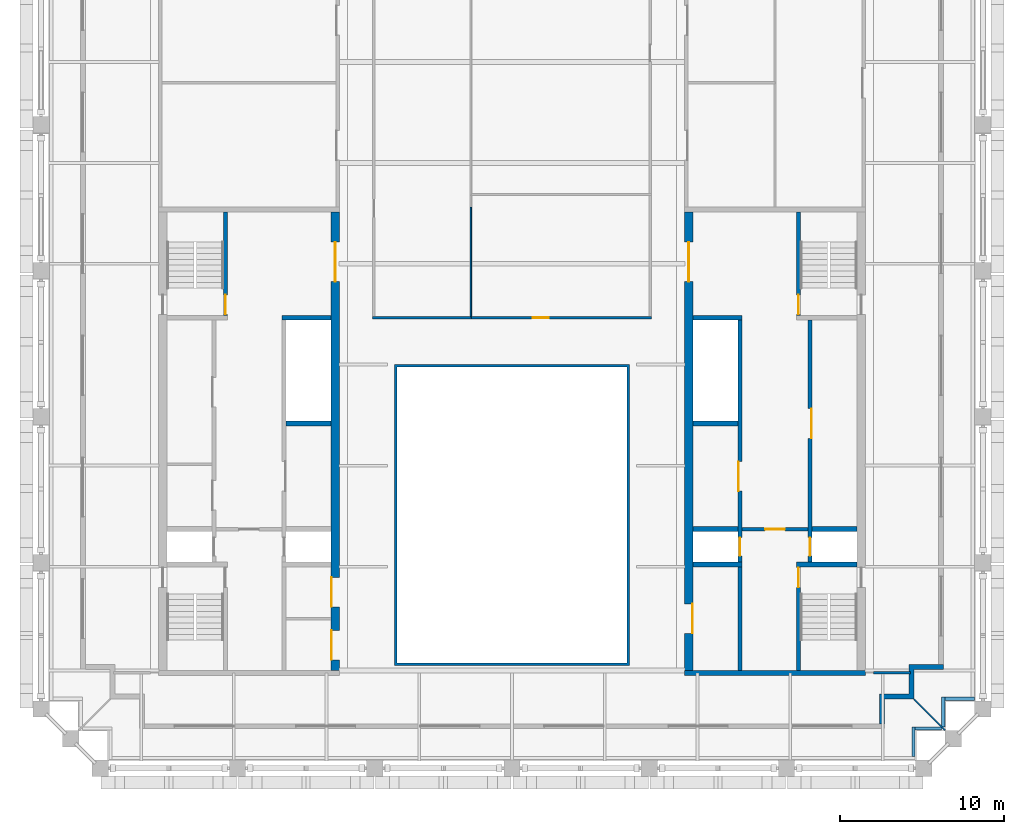
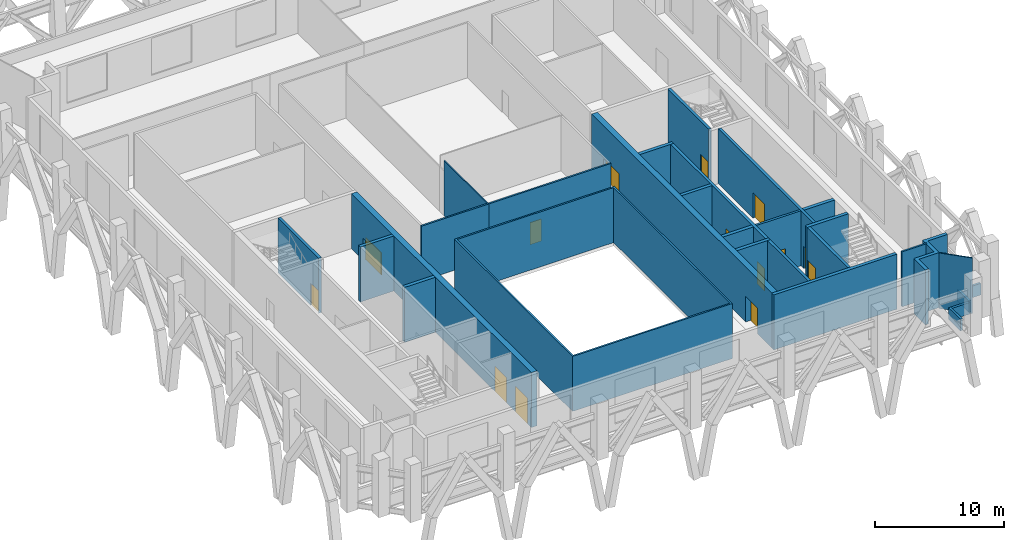
# One storey, part 5 of 13: 28 walls, 14 doors, 14 openings.
"""IFC4 building model written with IfcOpenShell, lengths in metres."""

import ifcopenshell
import ifcopenshell.guid

model = None  # the IFC model being written
_history = None  # IfcOwnerHistory: only IFC2X3 demands one
_inside = {}  # id of a spatial element -> (the spatial element, [elements in it])
_under = {}  # id of a project, library or spatial element -> (it, [spatial elements below it])
_declared = {}  # id of a project -> (the project, [libraries it declares])
_typed = {}  # id of a type object -> (the type object, [elements of that type])
_made_of = {}  # id of a material, layer set ... -> (it, [elements and type objects made of it])


def new_model(schema):
    """Start an empty IFC model of exactly this schema.

    Asked for "IFC4X3", IfcOpenShell would pick the latest addendum, in which some entities
    have other attributes; the version numbers below select the first issue.
    IFC2X3 requires an IfcOwnerHistory on every rooted entity: one is made here for all.
    """
    global model, _history
    if schema == "IFC4X3":
        model = ifcopenshell.file(schema_version=(4, 3, 0, 0))
    else:
        model = ifcopenshell.file(schema=schema)
    _inside.clear()
    _under.clear()
    _declared.clear()
    _typed.clear()
    _made_of.clear()
    _history = None
    if model.schema == "IFC2X3":
        org = make("IfcOrganization", Name="unknown")
        user = make(
            "IfcPersonAndOrganization",
            ThePerson=make("IfcPerson", FamilyName="unknown"),
            TheOrganization=org,
        )
        app = make(
            "IfcApplication",
            ApplicationDeveloper=org,
            Version="unknown",
            ApplicationFullName="unknown",
            ApplicationIdentifier="unknown",
        )
        _history = make(
            "IfcOwnerHistory",
            OwningUser=user,
            OwningApplication=app,
            ChangeAction="ADDED",
            CreationDate=0,
        )
    return model


def make(cls, **values):
    """One entity of the class cls with the attributes given. An attribute that is None is left unset."""
    return model.create_entity(
        cls, **{name: value for name, value in values.items() if value is not None}
    )


def rooted(cls, **values):
    """An entity with a GlobalId (a new one), such as an element, a storey or a relation."""
    return make(cls, GlobalId=ifcopenshell.guid.new(), OwnerHistory=_history, **values)


def si_unit(unit_type, name, prefix=None):
    """IfcSIUnit, for example si_unit("LENGTHUNIT", "METRE", prefix="MILLI")."""
    return make("IfcSIUnit", UnitType=unit_type, Prefix=prefix, Name=name)


def assignment(units):
    """IfcUnitAssignment: the units of a project."""
    return None if units is None else make("IfcUnitAssignment", Units=units)


def point(xyz):
    """IfcCartesianPoint."""
    return None if xyz is None else make("IfcCartesianPoint", Coordinates=xyz)


def direction(xyz):
    """IfcDirection."""
    return None if xyz is None else make("IfcDirection", DirectionRatios=xyz)


def frame(location, z_axis=None, x_axis=None):
    """IfcAxis2Placement3D, a coordinate frame: its origin and axes. An axis left out is left unset."""
    return make(
        "IfcAxis2Placement3D",
        Location=point(location),
        Axis=direction(z_axis),
        RefDirection=direction(x_axis),
    )


def frame_2d(location, x_axis=None):
    """IfcAxis2Placement2D, a coordinate frame in the plane: its origin and x axis."""
    return make(
        "IfcAxis2Placement2D", Location=point(location), RefDirection=direction(x_axis)
    )


def origin():
    """The frame at (0, 0, 0) with its axes left unset."""
    return frame((0.0, 0.0, 0.0))


def place(relative_to, where):
    """IfcLocalPlacement: puts the frame where relative to a parent placement (None: the world)."""
    return make(
        "IfcLocalPlacement", PlacementRelTo=relative_to, RelativePlacement=where
    )


def context(
    kind, dimensions, precision=None, world=None, true_north=None, identifier=None
):
    """IfcGeometricRepresentationContext, for example the 3D "Model" context."""
    return make(
        "IfcGeometricRepresentationContext",
        ContextIdentifier=identifier,
        ContextType=kind,
        CoordinateSpaceDimension=dimensions,
        Precision=precision,
        WorldCoordinateSystem=world,
        TrueNorth=true_north,
    )


def subcontext(parent, identifier, kind, view, scale=None):
    """IfcGeometricRepresentationSubContext, for example "Body" below "Model"."""
    return make(
        "IfcGeometricRepresentationSubContext",
        ContextIdentifier=identifier,
        ContextType=kind,
        ParentContext=parent,
        TargetScale=scale,
        TargetView=view,
    )


def project(units=None, contexts=None):
    """IfcProject with its units and contexts."""
    return rooted(
        "IfcProject",
        Name="project",
        RepresentationContexts=contexts,
        UnitsInContext=assignment(units),
    )


def spatial(cls, under=None, at=None, **own):
    """A site, building, storey or space (cls), placed at a placement, below another one or the project."""
    s = rooted(cls, ObjectPlacement=at, **own)
    if under is not None:
        _under.setdefault(under.id(), (under, []))[1].append(s)
    return s


def polyline(points):
    """IfcPolyline through the points."""
    return make("IfcPolyline", Points=[point(p) for p in points])


def profile(cls, at=None, kind="AREA", **sizes):
    """A parametric profile (cls). Its sizes go by their IFC names, for example OverallWidth=200.0."""
    return make(cls, ProfileType=kind, Position=at, **sizes)


def rectangle(**sizes):
    """IfcRectangleProfileDef."""
    return profile("IfcRectangleProfileDef", **sizes)


def outline(outer, holes=None, kind="AREA"):
    """IfcArbitraryClosedProfileDef: a profile drawn as a closed curve; with holes, ...WithVoids."""
    if holes is None:
        return make("IfcArbitraryClosedProfileDef", ProfileType=kind, OuterCurve=outer)
    return make(
        "IfcArbitraryProfileDefWithVoids",
        ProfileType=kind,
        OuterCurve=outer,
        InnerCurves=holes,
    )


def extrude(swept, where, along, depth):
    """IfcExtrudedAreaSolid: the profile swept, set in the frame where, extruded along a direction by depth."""
    return make(
        "IfcExtrudedAreaSolid",
        SweptArea=swept,
        Position=where,
        ExtrudedDirection=direction(along),
        Depth=depth,
    )


def shape(context_of_items, identifier, shape_type, items):
    """IfcShapeRepresentation: the items that make up one representation, for example the "Body"."""
    return make(
        "IfcShapeRepresentation",
        ContextOfItems=context_of_items,
        RepresentationIdentifier=identifier,
        RepresentationType=shape_type,
        Items=items,
    )


def material(Name=None, Category=None):
    """IfcMaterial."""
    return make("IfcMaterial", Name=Name, Category=Category)


def layer(
    of_material, thickness, ventilated=None, Name=None, Category=None, Priority=None
):
    """IfcMaterialLayer: one layer of a wall or slab, of a material (None: an air gap)."""
    return make(
        "IfcMaterialLayer",
        Material=of_material,
        LayerThickness=thickness,
        IsVentilated=ventilated,
        Name=Name,
        Category=Category,
        Priority=Priority,
    )


def layer_set(layers, Name=None):
    """IfcMaterialLayerSet."""
    return make("IfcMaterialLayerSet", MaterialLayers=layers, LayerSetName=Name)


def made_of(thing, what):
    """Note that an element or type object is made of a material, layer set ...; save() writes the relation."""
    if what is not None:
        _made_of.setdefault(what.id(), (what, []))[1].append(thing)
    return thing


def type_object(cls, material=None, **own):
    """A type object (cls), such as IfcWallType, which elements share."""
    return made_of(rooted(cls, **own), material)


def element(
    cls,
    number,
    at=None,
    inside=None,
    cuts=None,
    type_object=None,
    material=None,
    context=None,
    identifier="Body",
    shape_type=None,
    held_by="IfcProductDefinitionShape",
    body=None,
    shapes=None,
    **own,
):
    """One element of the class cls, such as IfcWall. Its Tag is "e" and its number.

    at: its placement. inside: the storey or other place that contains it. cuts: it is an
    opening in that element (IfcRelVoidsElement). A single representation is given by context,
    identifier, shape_type and body (its items); several are given by shapes. held_by: the class
    of the entity that holds the representations. save() writes the other relations.
    """
    e = rooted(cls, Tag="e%d" % number, ObjectPlacement=at, **own)
    if body is not None:
        shapes = [shape(context, identifier, shape_type, body)]
    if shapes is not None:
        e.Representation = make(held_by, Representations=shapes)
    if inside is not None:
        _inside.setdefault(inside.id(), (inside, []))[1].append(e)
    if cuts is not None:
        rooted(
            "IfcRelVoidsElement", RelatingBuildingElement=cuts, RelatedOpeningElement=e
        )
    if type_object is not None:
        _typed.setdefault(type_object.id(), (type_object, []))[1].append(e)
    return made_of(e, material)


def fill(opening, filler):
    """IfcRelFillsElement: the door or window that sits in an opening."""
    return rooted(
        "IfcRelFillsElement",
        RelatingOpeningElement=opening,
        RelatedBuildingElement=filler,
    )


def aggregate(whole, parts):
    """IfcRelAggregates: a whole, such as a stair, and the parts it consists of."""
    return rooted("IfcRelAggregates", RelatingObject=whole, RelatedObjects=parts)


def save(model, path):
    """Write the relations noted so far, then the file.

    IfcRelAggregates (storeys below a building ...), IfcRelContainedInSpatialStructure (elements
    in a storey), IfcRelDefinesByType, IfcRelAssociatesMaterial and IfcRelDeclares: one each for
    every whole, place, type object, material and project.
    """
    for whole, parts in _under.values():
        aggregate(whole, parts)
    for where, things in _inside.values():
        rooted(
            "IfcRelContainedInSpatialStructure",
            RelatedElements=things,
            RelatingStructure=where,
        )
    for kind, things in _typed.values():
        rooted("IfcRelDefinesByType", RelatedObjects=things, RelatingType=kind)
    for what, things in _made_of.values():
        rooted("IfcRelAssociatesMaterial", RelatedObjects=things, RelatingMaterial=what)
    for by, libraries in _declared.values():
        rooted("IfcRelDeclares", RelatingContext=by, RelatedDefinitions=libraries)
    model.write(path)


model = new_model("IFC4")

# Units and contexts
model_context = context("Model", 3, precision=1e-05, world=origin(), true_north=direction((0.0, 1.0)))
body_context = subcontext(model_context, "Body", "Model", "MODEL_VIEW")
ifc_project = project(units=[si_unit("LENGTHUNIT", "METRE"), si_unit("AREAUNIT", "SQUARE_METRE"), si_unit("VOLUMEUNIT", "CUBIC_METRE"), si_unit("PLANEANGLEUNIT", "RADIAN"), si_unit("MASSUNIT", "GRAM", prefix="KILO")], contexts=[model_context])

# Site, building, storey
site_placement = place(None, origin())
site = spatial("IfcSite", under=ifc_project, at=site_placement, CompositionType="ELEMENT")
building_placement = place(site_placement, origin())
building = spatial("IfcBuilding", under=site, at=building_placement, Name="Ogive Exchange Tower", CompositionType="ELEMENT")
storey_placement = place(building_placement, frame((0.0, 0.0, 363.60009765625)))
storey = spatial("IfcBuildingStorey", under=building, at=storey_placement, Name="L80", CompositionType="ELEMENT", Elevation=363.60009765625)

# Wall
ifc_material_1 = material(Name="Fire partition EI 60 150")
ifc_layer_1 = layer(ifc_material_1, 0.14990234375)
ifc_layer_set_1 = layer_set([ifc_layer_1], Name="Fire partition EI 60 150")
wall_type_1 = type_object("IfcWallType", Name="Fire partition EI 60 150", PredefinedType="PARTITIONING", material=ifc_layer_set_1)
wall_1_placement = place(storey_placement, frame((-8.47509765625, 19.0, 0.0), z_axis=(0.0, 0.0, 1.0), x_axis=(1.0, 0.0, 0.0)))
element("IfcWall", 1, at=wall_1_placement, inside=storey, type_object=wall_type_1, Name="L80-PWL-005", PredefinedType="PARTITIONING", context=body_context, shape_type="SweptSolid", body=[
    extrude(rectangle(XDim=6.025146484375, YDim=0.14990234375, at=frame_2d((3.0126953125, 0.0))), origin(), (0.0, 0.0, 1.0), 5.199951171875),
])

# Wall, opening, door
wall_2_placement = place(storey_placement, frame((-2.5, 19.0, 0.0), z_axis=(0.0, 0.0, 1.0), x_axis=(1.0, 0.0, 0.0)))
wall_2 = element("IfcWall", 2, at=wall_2_placement, inside=storey, type_object=wall_type_1, Name="L80-PWL-009", PredefinedType="PARTITIONING", context=body_context, shape_type="SweptSolid", body=[
    extrude(rectangle(XDim=10.97509765625, YDim=0.14990234375, at=frame_2d((5.487548828125, 0.0))), origin(), (0.0, 0.0, 1.0), 5.199951171875),
])
opening_1_placement = place(wall_2_placement, frame((3.75, 0.0, 0.0)))
opening_1 = element("IfcOpeningElement", 3, at=opening_1_placement, cuts=wall_2, Name="Opening L80-I03", PredefinedType="OPENING", context=body_context, shape_type="SweptSolid", body=[
    extrude(rectangle(XDim=1.0, YDim=2.10009765625, at=frame_2d((0.5, 1.050048828125))), frame((0.0, 0.0849609375, 0.0), z_axis=(0.0, -1.0, 0.0), x_axis=(1.0, 0.0, 0.0)), (0.0, 0.0, 1.0), 0.169921875),
])
ifc_material_2 = material(Name="Fire door FD 30S 1000 x 2100")
door_type_1 = type_object("IfcDoorType", Name="Fire door FD 30S 1000 x 2100", OperationType="NOTDEFINED", PredefinedType="DOOR", material=ifc_material_2)
door_1_placement = place(opening_1_placement, origin())
door_1 = element("IfcDoor", 4, at=door_1_placement, inside=storey, type_object=door_type_1, Name="L80-IDR-003", ObjectType="DT3", OperationType="SINGLE_SWING_RIGHT", OverallHeight=2.10009765625, OverallWidth=1.0, PredefinedType="DOOR", context=body_context, shape_type="SweptSolid", body=[
    extrude(rectangle(XDim=1.0, YDim=2.10009765625, at=frame_2d((0.5, 1.050048828125))), frame((0.0, 0.02490234375, 0.0), z_axis=(0.0, -1.0, 0.0), x_axis=(1.0, 0.0, 0.0)), (0.0, 0.0, 1.0), 0.050048828125),
])
fill(opening_1, door_1)

# Walls
wall_3_placement = place(storey_placement, frame((22.0, -2.60009765625, 0.0), z_axis=(0.0, 0.0, 1.0), x_axis=(1.0, 0.0, 0.0)))
element("IfcWall", 5, at=wall_3_placement, inside=storey, type_object=wall_type_1, Name="L80-PWL-018", PredefinedType="PARTITIONING", context=body_context, shape_type="SweptSolid", body=[
    extrude(rectangle(XDim=2.25, YDim=0.14990234375, at=frame_2d((1.125, 0.0))), origin(), (0.0, 0.0, 1.0), 5.199951171875),
])
ifc_material_3 = material(Name="Fire-resisting glass in steel frame", Category="steel")
ifc_layer_2 = layer(ifc_material_3, 0.14990234375)
ifc_layer_set_2 = layer_set([ifc_layer_2], Name="Fire-rated glazed wall 150")
wall_type_2 = type_object("IfcWallType", Name="Fire-rated glazed wall 150", PredefinedType="STANDARD", material=ifc_layer_set_2)
wall_4_placement = place(storey_placement, origin())
element("IfcWall", 6, at=wall_4_placement, inside=storey, type_object=wall_type_2, Name="Nave enclosure wall", PredefinedType="STANDARD", context=body_context, shape_type="SweptSolid", body=[
    extrude(outline(polyline([(-7.14990234375, -2.14990234375), (7.14990234375, -2.14990234375), (7.14990234375, 16.14990234375), (-7.14990234375, 16.14990234375), (-7.14990234375, -2.14990234375)]), holes=[polyline([(-7.0, -2.0), (-7.0, 16.0), (7.0, 16.0), (7.0, -2.0), (-7.0, -2.0)])]), origin(), (0.0, 0.0, 1.0), 5.199951171875),
])
ifc_material_4 = material(Name="Precast concrete C40/50", Category="concrete")
ifc_layer_3 = layer(ifc_material_4, 0.300048828125)
ifc_layer_set_3 = layer_set([ifc_layer_3], Name="Limestone-faced wall 300")
wall_type_3 = type_object("IfcWallType", Name="Limestone-faced wall 300", PredefinedType="STANDARD", material=ifc_layer_set_3)
wall_5_placement = place(storey_placement, origin())
element("IfcWall", 7, at=wall_5_placement, inside=storey, type_object=wall_type_3, Name="External corner wall C1", PredefinedType="STANDARD", context=body_context, shape_type="SweptSolid", body=[
    extrude(outline(polyline([(24.14990234375, -3.89990234375), (24.14990234375, -2.10009765625), (26.25, -2.10009765625), (26.25, -2.39990234375), (24.449951171875, -2.39990234375), (24.449951171875, -4.199951171875), (22.64990234375, -4.199951171875), (22.64990234375, -5.699951171875), (22.35009765625, -5.699951171875), (22.35009765625, -3.89990234375), (24.14990234375, -3.89990234375)])), origin(), (0.0, 0.0, 1.0), 5.199951171875),
])
ifc_material_5 = material(Name="Laminated safety glass in steel frame", Category="steel")
ifc_layer_4 = layer(ifc_material_5, 0.10009765625)
ifc_layer_set_4 = layer_set([ifc_layer_4], Name="Loggia end screen 100")
wall_type_4 = type_object("IfcWallType", Name="Loggia end screen 100", PredefinedType="STANDARD", material=ifc_layer_set_4)
wall_6_placement = place(storey_placement, frame((24.449951171875, -4.199951171875, -0.050048828125), z_axis=(0.0, 0.0, 1.0), x_axis=(0.707106781187, -0.707106781187, 0.0)))
element("IfcWall", 8, at=wall_6_placement, inside=storey, type_object=wall_type_4, Name="Loggia end screen C1", PredefinedType="STANDARD", context=body_context, shape_type="SweptSolid", body=[
    extrude(rectangle(XDim=2.667236328125, YDim=0.10009765625, at=frame_2d((1.33349609375, 0.0))), origin(), (0.0, 0.0, 1.0), 5.25),
])
ifc_material_6 = material(Name="Partition 100 gypsum")
ifc_layer_5 = layer(ifc_material_6, 0.10009765625)
ifc_layer_set_5 = layer_set([ifc_layer_5], Name="Partition 100 gypsum")
wall_type_5 = type_object("IfcWallType", Name="Partition 100 gypsum", PredefinedType="PARTITIONING", material=ifc_layer_set_5)
wall_7_placement = place(storey_placement, frame((-2.5, 19.074951171875, 0.0), z_axis=(0.0, 0.0, 1.0), x_axis=(0.0, 1.0, 0.0)))
element("IfcWall", 9, at=wall_7_placement, inside=storey, type_object=wall_type_5, Name="L80-PWL-008", PredefinedType="PARTITIONING", context=body_context, shape_type="SweptSolid", body=[
    extrude(rectangle(XDim=6.670166015625, YDim=0.10009765625, at=frame_2d((3.3349609375, 0.0))), origin(), (0.0, 0.0, 1.0), 5.199951171875),
])
ifc_layer_6 = layer(ifc_material_4, 0.199951171875)
ifc_layer_set_6 = layer_set([ifc_layer_6], Name="Plant deck parapet 200")
wall_type_6 = type_object("IfcWallType", Name="Plant deck parapet 200", PredefinedType="STANDARD", material=ifc_layer_set_6)
wall_8_placement = place(storey_placement, frame((24.429931640625, -7.679931640625, -0.050048828125), z_axis=(0.0, 0.0, 1.0), x_axis=(0.0, 1.0, 0.0)))
element("IfcWall", 10, at=wall_8_placement, inside=storey, type_object=wall_type_6, Name="Plant deck parapet 2", PredefinedType="STANDARD", context=body_context, shape_type="SweptSolid", body=[
    extrude(rectangle(XDim=1.800048828125, YDim=0.199951171875, at=frame_2d((0.89990234375, 0.0))), origin(), (0.0, 0.0, 1.0), 1.099853515625),
])
wall_9_placement = place(storey_placement, frame((24.530029296875, -5.97998046875, -0.050048828125), z_axis=(0.0, 0.0, 1.0), x_axis=(1.0, 0.0, 0.0)))
element("IfcWall", 11, at=wall_9_placement, inside=storey, type_object=wall_type_6, Name="Plant deck parapet 3", PredefinedType="STANDARD", context=body_context, shape_type="SweptSolid", body=[
    extrude(rectangle(XDim=1.608154296875, YDim=0.199951171875, at=frame_2d((0.80419921875, 0.0))), origin(), (0.0, 0.0, 1.0), 1.099853515625),
])
for number, where, z_axis, x_axis, name in (
    (12, (26.22998046875, -5.8798828125, -0.050048828125), (0.0, 0.0, 1.0), (0.0, 1.0, 0.0), "Plant deck parapet 4"),
    (13, (26.330078125, -4.179931640625, -0.050048828125), (0.0, 0.0, 1.0), (1.0, 0.0, 0.0), "Plant deck parapet 5"),
):
    element("IfcWall", number, at=place(storey_placement, frame(where, z_axis=z_axis, x_axis=x_axis)), inside=storey, type_object=wall_type_6, Name=name, PredefinedType="STANDARD", context=body_context, shape_type="SweptSolid", body=[
        extrude(rectangle(XDim=1.7998046875, YDim=0.199951171875, at=frame_2d((0.89990234375, 0.0))), origin(), (0.0, 0.0, 1.0), 1.099853515625),
    ])

# Wall, opening, door
ifc_material_7 = material(Name="Concrete C70/85", Category="concrete")
ifc_layer_7 = layer(ifc_material_7, 0.199951171875)
ifc_layer_set_7 = layer_set([ifc_layer_7], Name="RC core wall 200 C70/85")
wall_type_7 = type_object("IfcWallType", Name="RC core wall 200 C70/85", PredefinedType="SHEAR", material=ifc_layer_set_7)
wall_10_placement = place(storey_placement, frame((14.0, 6.142822265625, 0.0), z_axis=(0.0, 0.0, 1.0), x_axis=(1.0, 0.0, 0.0)))
wall_10 = element("IfcWall", 14, at=wall_10_placement, inside=storey, type_object=wall_type_7, Name="E firefighting lobby wall", PredefinedType="SHEAR", context=body_context, shape_type="SweptSolid", body=[
    extrude(rectangle(XDim=4.0, YDim=0.199951171875, at=frame_2d((2.0, 0.0))), origin(), (0.0, 0.0, 1.0), 5.199951171875),
])
opening_2_placement = place(wall_10_placement, frame((1.39990234375, 0.0, 0.0)))
opening_2 = element("IfcOpeningElement", 15, at=opening_2_placement, cuts=wall_10, Name="Opening L80-C20", PredefinedType="OPENING", context=body_context, shape_type="SweptSolid", body=[
    extrude(rectangle(XDim=1.199951171875, YDim=2.10009765625, at=frame_2d((0.60009765625, 1.050048828125))), frame((0.0, 0.10986328125, 0.0), z_axis=(0.0, -1.0, 0.0), x_axis=(1.0, 0.0, 0.0)), (0.0, 0.0, 1.0), 0.219970703125),
])
ifc_material_8 = material(Name="Steel fire door", Category="steel")
door_type_2 = type_object("IfcDoorType", Name="Firefighting lobby door FD60 1200 x 2100", OperationType="NOTDEFINED", PredefinedType="DOOR", material=ifc_material_8)
door_2_placement = place(opening_2_placement, frame((1.199951171875, 0.0, 0.0), z_axis=(0.0, 0.0, 1.0), x_axis=(-1.0, 0.0, 0.0)))
door_2 = element("IfcDoor", 16, at=door_2_placement, inside=storey, type_object=door_type_2, Name="Firefighting lobby door", ObjectType="CD3", OperationType="SINGLE_SWING_LEFT", OverallHeight=2.10009765625, OverallWidth=1.199951171875, PredefinedType="DOOR", context=body_context, shape_type="SweptSolid", body=[
    extrude(rectangle(XDim=1.199951171875, YDim=2.10009765625, at=frame_2d((0.60009765625, 1.050048828125))), frame((0.0, 0.02490234375, 0.0), z_axis=(0.0, -1.0, 0.0), x_axis=(1.0, 0.0, 0.0)), (0.0, 0.0, 1.0), 0.050048828125),
])
fill(opening_2, door_2)

ifc_layer_8 = layer(ifc_material_7, 0.25)
ifc_layer_set_8 = layer_set([ifc_layer_8], Name="RC core wall 250 C70/85")
wall_type_8 = type_object("IfcWallType", Name="RC core wall 250 C70/85", PredefinedType="SHEAR", material=ifc_layer_set_8)
wall_11_placement = place(storey_placement, frame((-17.425048828125, 19.14990234375, 0.0), z_axis=(0.0, 0.0, 1.0), x_axis=(0.0, 1.0, 0.0)))
wall_11 = element("IfcWall", 17, at=wall_11_placement, inside=storey, type_object=wall_type_8, Name="W stair N front wall", PredefinedType="SHEAR", context=body_context, shape_type="SweptSolid", body=[
    extrude(rectangle(XDim=6.300048828125, YDim=0.25, at=frame_2d((3.14990234375, 0.0))), origin(), (0.0, 0.0, 1.0), 5.199951171875),
])
opening_3_placement = place(wall_11_placement, frame((0.050048828125, 0.0, 0.0)))
opening_3 = element("IfcOpeningElement", 18, at=opening_3_placement, cuts=wall_11, Name="Opening L80-C10", PredefinedType="OPENING", context=body_context, shape_type="SweptSolid", body=[
    extrude(rectangle(XDim=1.199951171875, YDim=2.10009765625, at=frame_2d((0.60009765625, 1.050048828125))), frame((0.0, 0.135009765625, 0.0), z_axis=(0.0, -1.0, 0.0), x_axis=(1.0, 0.0, 0.0)), (0.0, 0.0, 1.0), 0.27001953125),
])
door_type_3 = type_object("IfcDoorType", Name="Stair door FD90 1200 x 2100", OperationType="NOTDEFINED", PredefinedType="DOOR", material=ifc_material_8)
door_3_placement = place(opening_3_placement, origin())
door_3 = element("IfcDoor", 19, at=door_3_placement, inside=storey, type_object=door_type_3, Name="Stair door", ObjectType="CD5", OperationType="SINGLE_SWING_RIGHT", OverallHeight=2.10009765625, OverallWidth=1.199951171875, PredefinedType="DOOR", context=body_context, shape_type="SweptSolid", body=[
    extrude(rectangle(XDim=1.199951171875, YDim=2.10009765625, at=frame_2d((0.60009765625, 1.050048828125))), frame((0.0, 0.02490234375, 0.0), z_axis=(0.0, -1.0, 0.0), x_axis=(1.0, 0.0, 0.0)), (0.0, 0.0, 1.0), 0.050048828125),
])
fill(opening_3, door_3)

wall_12_placement = place(storey_placement, frame((17.425048828125, -2.449951171875, 0.0), z_axis=(0.0, 0.0, 1.0), x_axis=(0.0, 1.0, 0.0)))
wall_12 = element("IfcWall", 20, at=wall_12_placement, inside=storey, type_object=wall_type_8, Name="E stair S front wall", PredefinedType="SHEAR", context=body_context, shape_type="SweptSolid", body=[
    extrude(rectangle(XDim=6.300048828125, YDim=0.25, at=frame_2d((3.14990234375, 0.0))), origin(), (0.0, 0.0, 1.0), 5.199951171875),
])
opening_4_placement = place(wall_12_placement, frame((5.050048828125, 0.0, 0.0)))
opening_4 = element("IfcOpeningElement", 21, at=opening_4_placement, cuts=wall_12, Name="Opening L80-C22", PredefinedType="OPENING", context=body_context, shape_type="SweptSolid", body=[
    extrude(rectangle(XDim=1.199951171875, YDim=2.10009765625, at=frame_2d((0.60009765625, 1.050048828125))), frame((0.0, 0.135009765625, 0.0), z_axis=(0.0, -1.0, 0.0), x_axis=(1.0, 0.0, 0.0)), (0.0, 0.0, 1.0), 0.27001953125),
])
door_4_placement = place(opening_4_placement, frame((1.199951171875, 0.0, 0.0), z_axis=(0.0, 0.0, 1.0), x_axis=(-1.0, 0.0, 0.0)))
door_4 = element("IfcDoor", 22, at=door_4_placement, inside=storey, type_object=door_type_3, Name="Stair door", ObjectType="CD5", OperationType="SINGLE_SWING_RIGHT", OverallHeight=2.10009765625, OverallWidth=1.199951171875, PredefinedType="DOOR", context=body_context, shape_type="SweptSolid", body=[
    extrude(rectangle(XDim=1.199951171875, YDim=2.10009765625, at=frame_2d((0.60009765625, 1.050048828125))), frame((0.0, 0.02490234375, 0.0), z_axis=(0.0, -1.0, 0.0), x_axis=(1.0, 0.0, 0.0)), (0.0, 0.0, 1.0), 0.050048828125),
])
fill(opening_4, door_4)

wall_13_placement = place(storey_placement, frame((17.425048828125, 19.14990234375, 0.0), z_axis=(0.0, 0.0, 1.0), x_axis=(0.0, 1.0, 0.0)))
wall_13 = element("IfcWall", 23, at=wall_13_placement, inside=storey, type_object=wall_type_8, Name="E stair N front wall", PredefinedType="SHEAR", context=body_context, shape_type="SweptSolid", body=[
    extrude(rectangle(XDim=6.300048828125, YDim=0.25, at=frame_2d((3.14990234375, 0.0))), origin(), (0.0, 0.0, 1.0), 5.199951171875),
])
opening_5_placement = place(wall_13_placement, frame((0.050048828125, 0.0, 0.0)))
opening_5 = element("IfcOpeningElement", 24, at=opening_5_placement, cuts=wall_13, Name="Opening L80-C24", PredefinedType="OPENING", context=body_context, shape_type="SweptSolid", body=[
    extrude(rectangle(XDim=1.199951171875, YDim=2.10009765625, at=frame_2d((0.60009765625, 1.050048828125))), frame((0.0, 0.135009765625, 0.0), z_axis=(0.0, -1.0, 0.0), x_axis=(1.0, 0.0, 0.0)), (0.0, 0.0, 1.0), 0.27001953125),
])
door_5_placement = place(opening_5_placement, frame((1.199951171875, 0.0, 0.0), z_axis=(0.0, 0.0, 1.0), x_axis=(-1.0, 0.0, 0.0)))
door_5 = element("IfcDoor", 25, at=door_5_placement, inside=storey, type_object=door_type_3, Name="Stair door", ObjectType="CD5", OperationType="SINGLE_SWING_LEFT", OverallHeight=2.10009765625, OverallWidth=1.199951171875, PredefinedType="DOOR", context=body_context, shape_type="SweptSolid", body=[
    extrude(rectangle(XDim=1.199951171875, YDim=2.10009765625, at=frame_2d((0.60009765625, 1.050048828125))), frame((0.0, 0.02490234375, 0.0), z_axis=(0.0, -1.0, 0.0), x_axis=(1.0, 0.0, 0.0)), (0.0, 0.0, 1.0), 0.050048828125),
])
fill(opening_5, door_5)

# Wall, openings, doors
wall_14_placement = place(storey_placement, frame((18.125, 4.14990234375, 0.0), z_axis=(0.0, 0.0, 1.0), x_axis=(0.0, 1.0, 0.0)))
wall_14 = element("IfcWall", 26, at=wall_14_placement, inside=storey, type_object=wall_type_8, Name="E row A front wall", PredefinedType="SHEAR", context=body_context, shape_type="SweptSolid", body=[
    extrude(rectangle(XDim=14.7001953125, YDim=0.25, at=frame_2d((7.35009765625, 0.0))), origin(), (0.0, 0.0, 1.0), 5.199951171875),
])
opening_6_placement = place(wall_14_placement, frame((7.521484375, 0.0, 0.0)))
opening_6 = element("IfcOpeningElement", 27, at=opening_6_placement, cuts=wall_14, Name="Opening L80-C16", PredefinedType="OPENING", context=body_context, shape_type="SweptSolid", body=[
    extrude(rectangle(XDim=1.800048828125, YDim=2.39990234375, at=frame_2d((0.89990234375, 1.199951171875))), frame((0.0, 0.135009765625, 0.0), z_axis=(0.0, -1.0, 0.0), x_axis=(1.0, 0.0, 0.0)), (0.0, 0.0, 1.0), 0.27001953125),
])
opening_7_placement = place(wall_14_placement, frame((0.371337890625, 0.0, 0.0)))
opening_7 = element("IfcOpeningElement", 28, at=opening_7_placement, cuts=wall_14, Name="Opening L80-C17", PredefinedType="OPENING", context=body_context, shape_type="SweptSolid", body=[
    extrude(rectangle(XDim=1.10009765625, YDim=2.10009765625, at=frame_2d((0.550048828125, 1.050048828125))), frame((0.0, 0.135009765625, 0.0), z_axis=(0.0, -1.0, 0.0), x_axis=(1.0, 0.0, 0.0)), (0.0, 0.0, 1.0), 0.27001953125),
])
ifc_material_9 = material(Name="Stainless steel", Category="steel")
door_type_4 = type_object("IfcDoorType", Name="Lift landing door FD90 1100 x 2100", OperationType="SLIDING_TO_LEFT", PredefinedType="DOOR", material=ifc_material_9)
door_6_placement = place(opening_7_placement, origin())
door_6 = element("IfcDoor", 29, at=door_6_placement, inside=storey, type_object=door_type_4, Name="Lift landing door FF2", ObjectType="LD", OperationType="SLIDING_TO_LEFT", OverallHeight=2.10009765625, OverallWidth=1.10009765625, PredefinedType="DOOR", context=body_context, shape_type="SweptSolid", body=[
    extrude(rectangle(XDim=1.10009765625, YDim=2.10009765625, at=frame_2d((0.550048828125, 1.050048828125))), frame((0.0, 0.02490234375, 0.0), z_axis=(0.0, -1.0, 0.0), x_axis=(1.0, 0.0, 0.0)), (0.0, 0.0, 1.0), 0.050048828125),
])
fill(opening_7, door_6)
door_type_5 = type_object("IfcDoorType", Name="Plant room door FD60 1800 x 2400", OperationType="DOUBLE_DOOR_SINGLE_SWING", PredefinedType="DOOR", material=ifc_material_8)
door_7_placement = place(opening_6_placement, frame((1.800048828125, -0.2001953125, 0.0), z_axis=(0.0, 0.0, 1.0), x_axis=(-1.0, 0.0, 0.0)))
door_7 = element("IfcDoor", 30, at=door_7_placement, inside=storey, type_object=door_type_5, Name="Plant room door", ObjectType="CD1", OperationType="DOUBLE_DOOR_SINGLE_SWING", OverallHeight=2.39990234375, OverallWidth=1.800048828125, PredefinedType="DOOR", context=body_context, shape_type="SweptSolid", body=[
    extrude(rectangle(XDim=1.800048828125, YDim=2.39990234375, at=frame_2d((0.89990234375, 1.199951171875))), frame((0.0, -0.0751953125, 0.0), z_axis=(0.0, -1.0, 0.0), x_axis=(1.0, 0.0, 0.0)), (0.0, 0.0, 1.0), 0.050048828125),
])
fill(opening_6, door_7)

wall_15_placement = place(storey_placement, frame((13.875, -2.449951171875, 0.0), z_axis=(0.0, 0.0, 1.0), x_axis=(0.0, 1.0, 0.0)))
wall_15 = element("IfcWall", 31, at=wall_15_placement, inside=storey, type_object=wall_type_8, Name="E row B front wall", PredefinedType="SHEAR", context=body_context, shape_type="SweptSolid", body=[
    extrude(rectangle(XDim=21.300048828125, YDim=0.25, at=frame_2d((10.64990234375, 0.0))), origin(), (0.0, 0.0, 1.0), 5.199951171875),
])
opening_8_placement = place(wall_15_placement, frame((10.906982421875, 0.0, 0.0)))
opening_8 = element("IfcOpeningElement", 32, at=opening_8_placement, cuts=wall_15, Name="Opening L80-C18", PredefinedType="OPENING", context=body_context, shape_type="SweptSolid", body=[
    extrude(rectangle(XDim=1.800048828125, YDim=2.39990234375, at=frame_2d((0.89990234375, 1.199951171875))), frame((0.0, 0.135009765625, 0.0), z_axis=(0.0, -1.0, 0.0), x_axis=(1.0, 0.0, 0.0)), (0.0, 0.0, 1.0), 0.27001953125),
])
opening_9_placement = place(wall_15_placement, frame((6.971435546875, 0.0, 0.0)))
opening_9 = element("IfcOpeningElement", 33, at=opening_9_placement, cuts=wall_15, Name="Opening L80-C19", PredefinedType="OPENING", context=body_context, shape_type="SweptSolid", body=[
    extrude(rectangle(XDim=1.10009765625, YDim=2.10009765625, at=frame_2d((0.550048828125, 1.050048828125))), frame((0.0, 0.135009765625, 0.0), z_axis=(0.0, -1.0, 0.0), x_axis=(1.0, 0.0, 0.0)), (0.0, 0.0, 1.0), 0.27001953125),
])
door_8_placement = place(opening_9_placement, origin())
door_8 = element("IfcDoor", 34, at=door_8_placement, inside=storey, type_object=door_type_4, Name="Lift landing door SV2", ObjectType="LD", OperationType="SLIDING_TO_LEFT", OverallHeight=2.10009765625, OverallWidth=1.10009765625, PredefinedType="DOOR", context=body_context, shape_type="SweptSolid", body=[
    extrude(rectangle(XDim=1.10009765625, YDim=2.10009765625, at=frame_2d((0.550048828125, 1.050048828125))), frame((0.0, 0.02490234375, 0.0), z_axis=(0.0, -1.0, 0.0), x_axis=(1.0, 0.0, 0.0)), (0.0, 0.0, 1.0), 0.050048828125),
])
fill(opening_9, door_8)
door_9_placement = place(opening_8_placement, origin())
door_9 = element("IfcDoor", 35, at=door_9_placement, inside=storey, type_object=door_type_5, Name="Plant room door", ObjectType="CD1", OperationType="DOUBLE_DOOR_SINGLE_SWING", OverallHeight=2.39990234375, OverallWidth=1.800048828125, PredefinedType="DOOR", context=body_context, shape_type="SweptSolid", body=[
    extrude(rectangle(XDim=1.800048828125, YDim=2.39990234375, at=frame_2d((0.89990234375, 1.199951171875))), frame((0.0, 0.125, 0.0), z_axis=(0.0, -1.0, 0.0), x_axis=(1.0, 0.0, 0.0)), (0.0, 0.0, 1.0), 0.050048828125),
])
fill(opening_8, door_9)

# Walls
ifc_layer_9 = layer(ifc_material_7, 0.300048828125)
ifc_layer_set_9 = layer_set([ifc_layer_9], Name="RC core wall 300 C70/85")
wall_type_9 = type_object("IfcWallType", Name="RC core wall 300 C70/85", PredefinedType="SHEAR", material=ifc_layer_set_9)
wall_16_placement = place(storey_placement, frame((-13.75, 12.5712890625, 0.0), z_axis=(0.0, 0.0, 1.0), x_axis=(1.0, 0.0, 0.0)))
element("IfcWall", 36, at=wall_16_placement, inside=storey, type_object=wall_type_9, Name="W row B divider 4", PredefinedType="SHEAR", context=body_context, shape_type="SweptSolid", body=[
    extrude(rectangle(XDim=2.75, YDim=0.300048828125, at=frame_2d((1.375, 0.0))), origin(), (0.0, 0.0, 1.0), 5.199951171875),
])
wall_17_placement = place(storey_placement, frame((-14.0, 19.0, 0.0), z_axis=(0.0, 0.0, 1.0), x_axis=(1.0, 0.0, 0.0)))
element("IfcWall", 37, at=wall_17_placement, inside=storey, type_object=wall_type_9, Name="W row B divider 7", PredefinedType="SHEAR", context=body_context, shape_type="SweptSolid", body=[
    extrude(rectangle(XDim=3.0, YDim=0.300048828125, at=frame_2d((1.5, 0.0))), origin(), (0.0, 0.0, 1.0), 5.199951171875),
])
wall_18_placement = place(storey_placement, frame((10.5, -2.60009765625, 0.0), z_axis=(0.0, 0.0, 1.0), x_axis=(1.0, 0.0, 0.0)))
element("IfcWall", 38, at=wall_18_placement, inside=storey, type_object=wall_type_9, Name="E south end wall", PredefinedType="SHEAR", context=body_context, shape_type="SweptSolid", body=[
    extrude(rectangle(XDim=11.0, YDim=0.300048828125, at=frame_2d((5.5, 0.0))), origin(), (0.0, 0.0, 1.0), 5.199951171875),
])
wall_19_placement = place(storey_placement, frame((17.300048828125, 4.0, 0.0), z_axis=(0.0, 0.0, 1.0), x_axis=(1.0, 0.0, 0.0)))
element("IfcWall", 39, at=wall_19_placement, inside=storey, type_object=wall_type_9, Name="E stair S north wall", PredefinedType="SHEAR", context=body_context, shape_type="SweptSolid", body=[
    extrude(rectangle(XDim=3.699951171875, YDim=0.300048828125, at=frame_2d((1.85009765625, 0.0))), origin(), (0.0, 0.0, 1.0), 5.199951171875),
])
wall_20_placement = place(storey_placement, frame((18.25, 6.142822265625, 0.0), z_axis=(0.0, 0.0, 1.0), x_axis=(1.0, 0.0, 0.0)))
element("IfcWall", 40, at=wall_20_placement, inside=storey, type_object=wall_type_9, Name="E row A divider 1", PredefinedType="SHEAR", context=body_context, shape_type="SweptSolid", body=[
    extrude(rectangle(XDim=2.75, YDim=0.300048828125, at=frame_2d((1.375, 0.0))), origin(), (0.0, 0.0, 1.0), 5.199951171875),
])
wall_21_placement = place(storey_placement, frame((11.0, 4.0, 0.0), z_axis=(0.0, 0.0, 1.0), x_axis=(1.0, 0.0, 0.0)))
element("IfcWall", 41, at=wall_21_placement, inside=storey, type_object=wall_type_9, Name="E row B divider 0", PredefinedType="SHEAR", context=body_context, shape_type="SweptSolid", body=[
    extrude(rectangle(XDim=3.0, YDim=0.300048828125, at=frame_2d((1.5, 0.0))), origin(), (0.0, 0.0, 1.0), 5.199951171875),
])
for number, where, z_axis, x_axis, name in (
    (42, (11.0, 6.142822265625, 0.0), (0.0, 0.0, 1.0), (1.0, 0.0, 0.0), "E row B divider 1"),
    (43, (11.0, 12.5712890625, 0.0), (0.0, 0.0, 1.0), (1.0, 0.0, 0.0), "E row B divider 4"),
):
    element("IfcWall", number, at=place(storey_placement, frame(where, z_axis=z_axis, x_axis=x_axis)), inside=storey, type_object=wall_type_9, Name=name, PredefinedType="SHEAR", context=body_context, shape_type="SweptSolid", body=[
        extrude(rectangle(XDim=2.75, YDim=0.300048828125, at=frame_2d((1.375, 0.0))), origin(), (0.0, 0.0, 1.0), 5.199951171875),
    ])
wall_22_placement = place(storey_placement, frame((11.0, 19.0, 0.0), z_axis=(0.0, 0.0, 1.0), x_axis=(1.0, 0.0, 0.0)))
element("IfcWall", 44, at=wall_22_placement, inside=storey, type_object=wall_type_9, Name="E row B divider 7", PredefinedType="SHEAR", context=body_context, shape_type="SweptSolid", body=[
    extrude(rectangle(XDim=3.0, YDim=0.300048828125, at=frame_2d((1.5, 0.0))), origin(), (0.0, 0.0, 1.0), 5.199951171875),
])

# Wall, openings, doors
ifc_layer_10 = layer(ifc_material_7, 0.5)
ifc_layer_set_10 = layer_set([ifc_layer_10], Name="RC core wall 500 C70/85")
wall_type_10 = type_object("IfcWallType", Name="RC core wall 500 C70/85", PredefinedType="SHEAR", material=ifc_layer_set_10)
wall_23_placement = place(storey_placement, frame((-10.75, -2.449951171875, 0.0), z_axis=(0.0, 0.0, 1.0), x_axis=(0.0, 1.0, 0.0)))
wall_23 = element("IfcWall", 45, at=wall_23_placement, inside=storey, type_object=wall_type_10, Name="W inner wall", PredefinedType="SHEAR", context=body_context, shape_type="SweptSolid", body=[
    extrude(rectangle(XDim=27.89990234375, YDim=0.5, at=frame_2d((13.949951171875, 0.0))), origin(), (0.0, 0.0, 1.0), 5.199951171875),
])
opening_10_placement = place(wall_23_placement, frame((23.64990234375, 0.0, 0.0)))
opening_10 = element("IfcOpeningElement", 46, at=opening_10_placement, cuts=wall_23, Name="Opening L80-C07", PredefinedType="OPENING", context=body_context, shape_type="SweptSolid", body=[
    extrude(rectangle(XDim=2.39990234375, YDim=2.10009765625, at=frame_2d((1.199951171875, 1.050048828125))), frame((0.0, 0.260009765625, 0.0), z_axis=(0.0, -1.0, 0.0), x_axis=(1.0, 0.0, 0.0)), (0.0, 0.0, 1.0), 0.52001953125),
])
opening_11_placement = place(wall_23_placement, frame((0.637451171875, 0.0, 0.0)))
opening_11 = element("IfcOpeningElement", 47, at=opening_11_placement, cuts=wall_23, Name="Opening L80-C12", PredefinedType="OPENING", context=body_context, shape_type="SweptSolid", body=[
    extrude(rectangle(XDim=1.800048828125, YDim=2.39990234375, at=frame_2d((0.89990234375, 1.199951171875))), frame((0.0, 0.260009765625, 0.0), z_axis=(0.0, -1.0, 0.0), x_axis=(1.0, 0.0, 0.0)), (0.0, 0.0, 1.0), 0.52001953125),
])
opening_12_placement = place(wall_23_placement, frame((3.862548828125, 0.0, 0.0)))
opening_12 = element("IfcOpeningElement", 48, at=opening_12_placement, cuts=wall_23, Name="Opening L80-C13", PredefinedType="OPENING", context=body_context, shape_type="SweptSolid", body=[
    extrude(rectangle(XDim=1.800048828125, YDim=2.39990234375, at=frame_2d((0.89990234375, 1.199951171875))), frame((0.0, 0.260009765625, 0.0), z_axis=(0.0, -1.0, 0.0), x_axis=(1.0, 0.0, 0.0)), (0.0, 0.0, 1.0), 0.52001953125),
])
ifc_material_10 = material(Name="Glazed steel fire door", Category="steel")
door_type_6 = type_object("IfcDoorType", Name="Lift lobby double door FD60 2400 x 2100", OperationType="DOUBLE_DOOR_SINGLE_SWING", PredefinedType="DOOR", material=ifc_material_10)
door_10_placement = place(opening_10_placement, frame((2.39990234375, 0.0, 0.0), z_axis=(0.0, 0.0, 1.0), x_axis=(-1.0, 0.0, 0.0)))
door_10 = element("IfcDoor", 49, at=door_10_placement, inside=storey, type_object=door_type_6, Name="Lift lobby double door", ObjectType="CD4", OperationType="DOUBLE_DOOR_SINGLE_SWING", OverallHeight=2.10009765625, OverallWidth=2.39990234375, PredefinedType="DOOR", context=body_context, shape_type="SweptSolid", body=[
    extrude(rectangle(XDim=2.39990234375, YDim=2.10009765625, at=frame_2d((1.199951171875, 1.050048828125))), frame((0.0, 0.02490234375, 0.0), z_axis=(0.0, -1.0, 0.0), x_axis=(1.0, 0.0, 0.0)), (0.0, 0.0, 1.0), 0.050048828125),
])
fill(opening_10, door_10)
door_11_placement = place(opening_11_placement, frame((1.800048828125, 0.4501953125, 0.0), z_axis=(0.0, 0.0, 1.0), x_axis=(-1.0, 0.0, 0.0)))
door_11 = element("IfcDoor", 50, at=door_11_placement, inside=storey, type_object=door_type_5, Name="Plant room door", ObjectType="CD1", OperationType="DOUBLE_DOOR_SINGLE_SWING", OverallHeight=2.39990234375, OverallWidth=1.800048828125, PredefinedType="DOOR", context=body_context, shape_type="SweptSolid", body=[
    extrude(rectangle(XDim=1.800048828125, YDim=2.39990234375, at=frame_2d((0.89990234375, 1.199951171875))), frame((0.0, 0.25, 0.0), z_axis=(0.0, -1.0, 0.0), x_axis=(1.0, 0.0, 0.0)), (0.0, 0.0, 1.0), 0.050048828125),
])
fill(opening_11, door_11)
door_12_placement = place(opening_12_placement, frame((1.800048828125, 0.4501953125, 0.0), z_axis=(0.0, 0.0, 1.0), x_axis=(-1.0, 0.0, 0.0)))
door_12 = element("IfcDoor", 51, at=door_12_placement, inside=storey, type_object=door_type_5, Name="Plant room door", ObjectType="CD1", OperationType="DOUBLE_DOOR_SINGLE_SWING", OverallHeight=2.39990234375, OverallWidth=1.800048828125, PredefinedType="DOOR", context=body_context, shape_type="SweptSolid", body=[
    extrude(rectangle(XDim=1.800048828125, YDim=2.39990234375, at=frame_2d((0.89990234375, 1.199951171875))), frame((0.0, 0.25, 0.0), z_axis=(0.0, -1.0, 0.0), x_axis=(1.0, 0.0, 0.0)), (0.0, 0.0, 1.0), 0.050048828125),
])
fill(opening_12, door_12)

wall_24_placement = place(storey_placement, frame((10.75, -2.449951171875, 0.0), z_axis=(0.0, 0.0, 1.0), x_axis=(0.0, 1.0, 0.0)))
wall_24 = element("IfcWall", 52, at=wall_24_placement, inside=storey, type_object=wall_type_10, Name="E inner wall", PredefinedType="SHEAR", context=body_context, shape_type="SweptSolid", body=[
    extrude(rectangle(XDim=27.89990234375, YDim=0.5, at=frame_2d((13.949951171875, 0.0))), origin(), (0.0, 0.0, 1.0), 5.199951171875),
])
opening_13_placement = place(wall_24_placement, frame((23.64990234375, 0.0, 0.0)))
opening_13 = element("IfcOpeningElement", 53, at=opening_13_placement, cuts=wall_24, Name="Opening L80-C21", PredefinedType="OPENING", context=body_context, shape_type="SweptSolid", body=[
    extrude(rectangle(XDim=2.39990234375, YDim=2.10009765625, at=frame_2d((1.199951171875, 1.050048828125))), frame((0.0, 0.260009765625, 0.0), z_axis=(0.0, -1.0, 0.0), x_axis=(1.0, 0.0, 0.0)), (0.0, 0.0, 1.0), 0.52001953125),
])
opening_14_placement = place(wall_24_placement, frame((2.25, 0.0, 0.0)))
opening_14 = element("IfcOpeningElement", 54, at=opening_14_placement, cuts=wall_24, Name="Opening L80-C26", PredefinedType="OPENING", context=body_context, shape_type="SweptSolid", body=[
    extrude(rectangle(XDim=1.800048828125, YDim=2.39990234375, at=frame_2d((0.89990234375, 1.199951171875))), frame((0.0, 0.260009765625, 0.0), z_axis=(0.0, -1.0, 0.0), x_axis=(1.0, 0.0, 0.0)), (0.0, 0.0, 1.0), 0.52001953125),
])
door_13_placement = place(opening_13_placement, origin())
door_13 = element("IfcDoor", 55, at=door_13_placement, inside=storey, type_object=door_type_6, Name="Lift lobby double door", ObjectType="CD4", OperationType="DOUBLE_DOOR_SINGLE_SWING", OverallHeight=2.10009765625, OverallWidth=2.39990234375, PredefinedType="DOOR", context=body_context, shape_type="SweptSolid", body=[
    extrude(rectangle(XDim=2.39990234375, YDim=2.10009765625, at=frame_2d((1.199951171875, 1.050048828125))), frame((0.0, 0.02490234375, 0.0), z_axis=(0.0, -1.0, 0.0), x_axis=(1.0, 0.0, 0.0)), (0.0, 0.0, 1.0), 0.050048828125),
])
fill(opening_13, door_13)
door_14_placement = place(opening_14_placement, origin())
door_14 = element("IfcDoor", 56, at=door_14_placement, inside=storey, type_object=door_type_5, Name="Plant room door", ObjectType="CD1", OperationType="DOUBLE_DOOR_SINGLE_SWING", OverallHeight=2.39990234375, OverallWidth=1.800048828125, PredefinedType="DOOR", context=body_context, shape_type="SweptSolid", body=[
    extrude(rectangle(XDim=1.800048828125, YDim=2.39990234375, at=frame_2d((0.89990234375, 1.199951171875))), frame((0.0, -0.2001953125, 0.0), z_axis=(0.0, -1.0, 0.0), x_axis=(1.0, 0.0, 0.0)), (0.0, 0.0, 1.0), 0.050048828125),
])
fill(opening_14, door_14)

save(model, "model.ifc")
